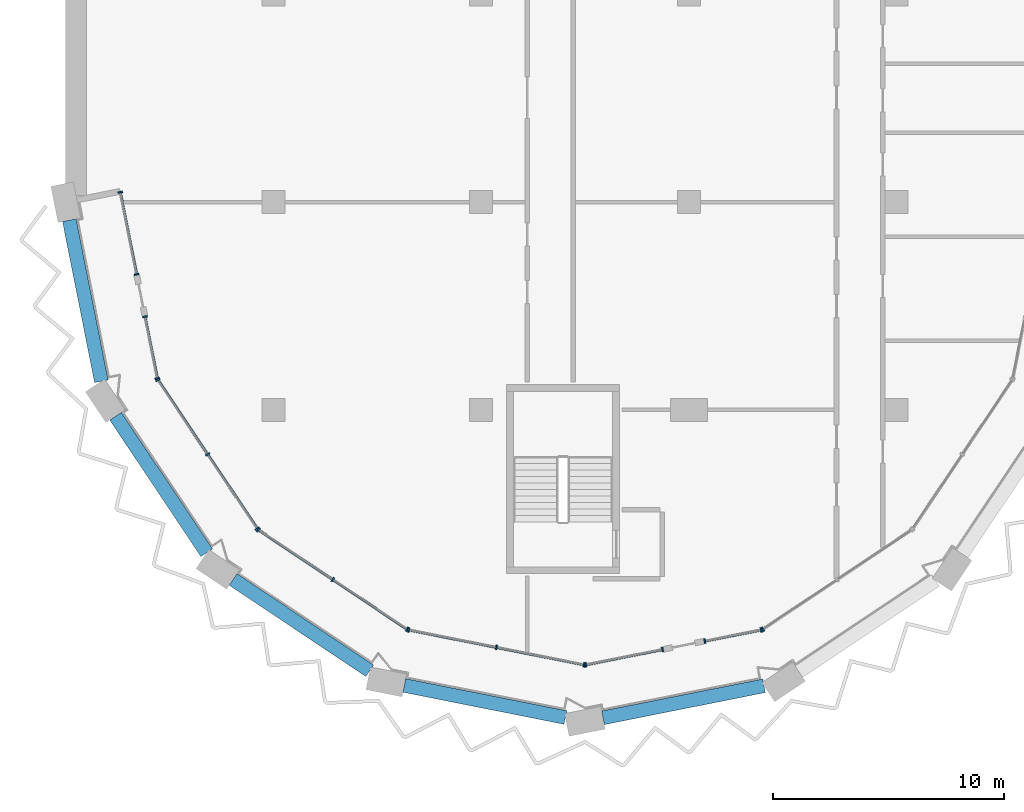
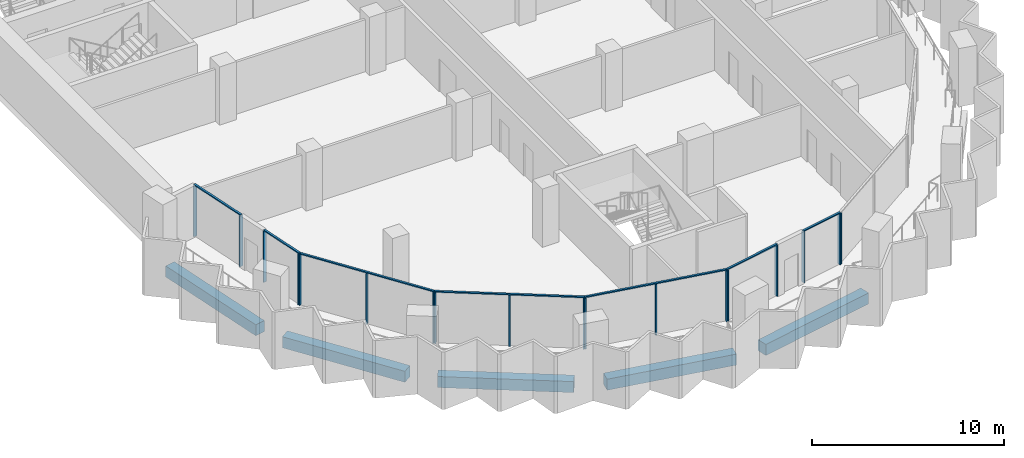
# One storey, part 2 of 16: 25 members, 5 beams, 8 elements without a shape of their own.
"""IFC4 building model written with IfcOpenShell, lengths in metres."""

from ifc_helpers import new_model, si_unit, direction, frame, origin, origin_2d, place, context, subcontext, project, spatial, rectangle, extrude, material, material_profile, profile_set, type_object, element, aggregate, save


model = new_model("IFC4")

# Units and contexts
model_context = context("Model", 3, precision=1e-05, world=origin(), true_north=direction((0.0, 1.0)))
body_context = subcontext(model_context, "Body", "Model", "MODEL_VIEW")
ifc_project = project(units=[si_unit("LENGTHUNIT", "METRE"), si_unit("AREAUNIT", "SQUARE_METRE"), si_unit("VOLUMEUNIT", "CUBIC_METRE"), si_unit("PLANEANGLEUNIT", "RADIAN"), si_unit("MASSUNIT", "GRAM", prefix="KILO")], contexts=[model_context])

# Site, building, storey
site_placement = place(None, origin())
site = spatial("IfcSite", under=ifc_project, at=site_placement, CompositionType="ELEMENT")
building_placement = place(site_placement, origin())
building = spatial("IfcBuilding", under=site, at=building_placement, Name="Hunhe Ridgeline Campus", CompositionType="ELEMENT")
storey_placement = place(building_placement, frame((0.0, 0.0, 261.39990234375)))
storey = spatial("IfcBuildingStorey", under=building, at=storey_placement, Name="L67", CompositionType="ELEMENT", Elevation=261.39990234375)

# Curtain wall, members
ifc_material_1 = material(Name="Aluminium 6063", Category="aluminium")
curtain_wall_type = type_object("IfcCurtainWallType", Name="Curtain wall CW-5", PredefinedType="NOTDEFINED", material=ifc_material_1)
curtain_wall_1_placement = place(storey_placement, origin())
curtain_wall_1 = element("IfcCurtainWall", 1, at=curtain_wall_1_placement, inside=storey, type_object=curtain_wall_type, Name="Curtain wall 01", PredefinedType="NOTDEFINED")
ifc_material_profile_1 = material_profile(ifc_material_1, rectangle(XDim=0.199951171875, YDim=0.070068359375, at=origin_2d()))
ifc_profile_set_1 = profile_set([ifc_material_profile_1], Name="Aluminium 6063")
member_type_1 = type_object("IfcMemberType", Name="CW-5 aluminium mullion", PredefinedType="MULLION", material=ifc_profile_set_1)
member_1_placement = place(storey_placement, frame((2.361572265625, 45.434326171875, 0.0), z_axis=(0.0, 0.0, 1.0), x_axis=(0.980784284924, 0.195095326561, 0.0)))
member_1 = element("IfcMember", 2, at=member_1_placement, type_object=member_type_1, Name="CW-5 mullion 1", PredefinedType="MULLION", context=body_context, shape_type="SweptSolid", body=[
    extrude(rectangle(XDim=0.199951171875, YDim=0.070068359375, at=origin_2d()), origin(), (0.0, 0.0, 1.0), 3.22998046875),
])
member_2_placement = place(storey_placement, frame((3.070068359375, 41.873291015625, 0.0), z_axis=(0.0, 0.0, 1.0), x_axis=(0.980784284924, 0.195095326561, 0.0)))
member_2 = element("IfcMember", 3, at=member_2_placement, type_object=member_type_1, Name="CW-5 mullion 2", PredefinedType="MULLION", context=body_context, shape_type="SweptSolid", body=[
    extrude(rectangle(XDim=0.199951171875, YDim=0.070068359375, at=origin_2d()), origin(), (0.0, 0.0, 1.0), 3.22998046875),
])

curtain_wall_2_placement = place(storey_placement, origin())
curtain_wall_2 = element("IfcCurtainWall", 4, at=curtain_wall_2_placement, inside=storey, type_object=curtain_wall_type, Name="Curtain wall 02", PredefinedType="NOTDEFINED")
member_3_placement = place(storey_placement, frame((3.434814453125, 40.0390625, 0.0), z_axis=(0.0, 0.0, 1.0), x_axis=(0.980784297053, 0.195095265587, 0.0)))
member_3 = element("IfcMember", 5, at=member_3_placement, type_object=member_type_1, Name="CW-5 mullion 1", PredefinedType="MULLION", context=body_context, shape_type="SweptSolid", body=[
    extrude(rectangle(XDim=0.199951171875, YDim=0.070068359375, at=origin_2d()), origin(), (0.0, 0.0, 1.0), 3.22998046875),
])
member_4_placement = place(storey_placement, frame((3.967529296875, 37.36083984375, 0.0), z_axis=(0.0, 0.0, 1.0), x_axis=(0.980784297053, 0.195095265587, 0.0)))
member_4 = element("IfcMember", 6, at=member_4_placement, type_object=member_type_1, Name="CW-5 mullion 2", PredefinedType="MULLION", context=body_context, shape_type="SweptSolid", body=[
    extrude(rectangle(XDim=0.199951171875, YDim=0.070068359375, at=origin_2d()), origin(), (0.0, 0.0, 1.0), 3.22998046875),
])

curtain_wall_3_placement = place(storey_placement, origin())
curtain_wall_3 = element("IfcCurtainWall", 7, at=curtain_wall_3_placement, inside=storey, type_object=curtain_wall_type, Name="Curtain wall 03", PredefinedType="NOTDEFINED")
member_5_placement = place(storey_placement, frame((3.993896484375, 37.29736328125, 0.0), z_axis=(0.0, 0.0, 1.0), x_axis=(0.831469584522, 0.555570274596, 0.0)))
member_5 = element("IfcMember", 8, at=member_5_placement, type_object=member_type_1, Name="CW-5 mullion 1", PredefinedType="MULLION", context=body_context, shape_type="SweptSolid", body=[
    extrude(rectangle(XDim=0.199951171875, YDim=0.070068359375, at=origin_2d()), origin(), (0.0, 0.0, 1.0), 3.22998046875),
])
member_6_placement = place(storey_placement, frame((6.147705078125, 34.07373046875, 0.0), z_axis=(0.0, 0.0, 1.0), x_axis=(0.831469584522, 0.555570274596, 0.0)))
member_6 = element("IfcMember", 9, at=member_6_placement, type_object=member_type_1, Name="CW-5 mullion 2", PredefinedType="MULLION", context=body_context, shape_type="SweptSolid", body=[
    extrude(rectangle(XDim=0.199951171875, YDim=0.070068359375, at=origin_2d()), origin(), (0.0, 0.0, 1.0), 3.22998046875),
])
member_7_placement = place(storey_placement, frame((8.3017578125, 30.850341796875, 0.0), z_axis=(0.0, 0.0, 1.0), x_axis=(0.831469584522, 0.555570274596, 0.0)))
member_7 = element("IfcMember", 10, at=member_7_placement, type_object=member_type_1, Name="CW-5 mullion 3", PredefinedType="MULLION", context=body_context, shape_type="SweptSolid", body=[
    extrude(rectangle(XDim=0.199951171875, YDim=0.070068359375, at=origin_2d()), origin(), (0.0, 0.0, 1.0), 3.22998046875),
])

curtain_wall_4_placement = place(storey_placement, origin())
curtain_wall_4 = element("IfcCurtainWall", 11, at=curtain_wall_4_placement, inside=storey, type_object=curtain_wall_type, Name="Curtain wall 04", PredefinedType="NOTDEFINED")
member_8_placement = place(storey_placement, frame((8.350341796875, 30.8017578125, 0.0), z_axis=(0.0, 0.0, 1.0), x_axis=(0.555570274596, 0.831469584522, 0.0)))
member_8 = element("IfcMember", 12, at=member_8_placement, type_object=member_type_1, Name="CW-5 mullion 1", PredefinedType="MULLION", context=body_context, shape_type="SweptSolid", body=[
    extrude(rectangle(XDim=0.199951171875, YDim=0.070068359375, at=origin_2d()), origin(), (0.0, 0.0, 1.0), 3.22998046875),
])
member_9_placement = place(storey_placement, frame((11.57373046875, 28.647705078125, 0.0), z_axis=(0.0, 0.0, 1.0), x_axis=(0.555570274596, 0.831469584522, 0.0)))
member_9 = element("IfcMember", 13, at=member_9_placement, type_object=member_type_1, Name="CW-5 mullion 2", PredefinedType="MULLION", context=body_context, shape_type="SweptSolid", body=[
    extrude(rectangle(XDim=0.199951171875, YDim=0.070068359375, at=origin_2d()), origin(), (0.0, 0.0, 1.0), 3.22998046875),
])
member_10_placement = place(storey_placement, frame((14.79736328125, 26.493896484375, 0.0), z_axis=(0.0, 0.0, 1.0), x_axis=(0.555570274596, 0.831469584522, 0.0)))
member_10 = element("IfcMember", 14, at=member_10_placement, type_object=member_type_1, Name="CW-5 mullion 3", PredefinedType="MULLION", context=body_context, shape_type="SweptSolid", body=[
    extrude(rectangle(XDim=0.199951171875, YDim=0.070068359375, at=origin_2d()), origin(), (0.0, 0.0, 1.0), 3.22998046875),
])

curtain_wall_5_placement = place(storey_placement, origin())
curtain_wall_5 = element("IfcCurtainWall", 15, at=curtain_wall_5_placement, inside=storey, type_object=curtain_wall_type, Name="Curtain wall 05", PredefinedType="NOTDEFINED")
member_11_placement = place(storey_placement, frame((14.86083984375, 26.467529296875, 0.0), z_axis=(0.0, 0.0, 1.0), x_axis=(0.195090347539, 0.980785275326, 0.0)))
member_11 = element("IfcMember", 16, at=member_11_placement, type_object=member_type_1, Name="CW-5 mullion 1", PredefinedType="MULLION", context=body_context, shape_type="SweptSolid", body=[
    extrude(rectangle(XDim=0.199951171875, YDim=0.070068359375, at=origin_2d()), origin(), (0.0, 0.0, 1.0), 3.22998046875),
])
member_12_placement = place(storey_placement, frame((18.663330078125, 25.711181640625, 0.0), z_axis=(0.0, 0.0, 1.0), x_axis=(0.195090347539, 0.980785275326, 0.0)))
member_12 = element("IfcMember", 17, at=member_12_placement, type_object=member_type_1, Name="CW-5 mullion 2", PredefinedType="MULLION", context=body_context, shape_type="SweptSolid", body=[
    extrude(rectangle(XDim=0.199951171875, YDim=0.070068359375, at=origin_2d()), origin(), (0.0, 0.0, 1.0), 3.22998046875),
])
member_13_placement = place(storey_placement, frame((22.465576171875, 24.954833984375, 0.0), z_axis=(0.0, 0.0, 1.0), x_axis=(0.195090347539, 0.980785275326, 0.0)))
member_13 = element("IfcMember", 18, at=member_13_placement, type_object=member_type_1, Name="CW-5 mullion 3", PredefinedType="MULLION", context=body_context, shape_type="SweptSolid", body=[
    extrude(rectangle(XDim=0.199951171875, YDim=0.070068359375, at=origin_2d()), origin(), (0.0, 0.0, 1.0), 3.22998046875),
])

curtain_wall_6_placement = place(storey_placement, origin())
curtain_wall_6 = element("IfcCurtainWall", 19, at=curtain_wall_6_placement, inside=storey, type_object=curtain_wall_type, Name="Curtain wall 06", PredefinedType="NOTDEFINED")
member_14_placement = place(storey_placement, frame((22.534423828125, 24.954833984375, 0.0), z_axis=(0.0, 0.0, 1.0), x_axis=(-0.19509037034, 0.980785270791, 0.0)))
member_14 = element("IfcMember", 20, at=member_14_placement, type_object=member_type_1, Name="CW-5 mullion 1", PredefinedType="MULLION", context=body_context, shape_type="SweptSolid", body=[
    extrude(rectangle(XDim=0.199951171875, YDim=0.070068359375, at=origin_2d()), origin(), (0.0, 0.0, 1.0), 3.22998046875),
])
member_15_placement = place(storey_placement, frame((25.861083984375, 25.61669921875, 0.0), z_axis=(0.0, 0.0, 1.0), x_axis=(-0.19509037034, 0.980785270791, 0.0)))
member_15 = element("IfcMember", 21, at=member_15_placement, type_object=member_type_1, Name="CW-5 mullion 2", PredefinedType="MULLION", context=body_context, shape_type="SweptSolid", body=[
    extrude(rectangle(XDim=0.199951171875, YDim=0.070068359375, at=origin_2d()), origin(), (0.0, 0.0, 1.0), 3.22998046875),
])

curtain_wall_7_placement = place(storey_placement, origin())
curtain_wall_7 = element("IfcCurtainWall", 22, at=curtain_wall_7_placement, inside=storey, type_object=curtain_wall_type, Name="Curtain wall 07", PredefinedType="NOTDEFINED")
member_16_placement = place(storey_placement, frame((27.695068359375, 25.9814453125, 0.0), z_axis=(0.0, 0.0, 1.0), x_axis=(-0.195090514627, 0.980785242091, 0.0)))
member_16 = element("IfcMember", 23, at=member_16_placement, type_object=member_type_1, Name="CW-5 mullion 1", PredefinedType="MULLION", context=body_context, shape_type="SweptSolid", body=[
    extrude(rectangle(XDim=0.199951171875, YDim=0.070068359375, at=origin_2d()), origin(), (0.0, 0.0, 1.0), 3.22998046875),
])
member_17_placement = place(storey_placement, frame((30.13916015625, 26.467529296875, 0.0), z_axis=(0.0, 0.0, 1.0), x_axis=(-0.195090514627, 0.980785242091, 0.0)))
member_17 = element("IfcMember", 24, at=member_17_placement, type_object=member_type_1, Name="CW-5 mullion 2", PredefinedType="MULLION", context=body_context, shape_type="SweptSolid", body=[
    extrude(rectangle(XDim=0.199951171875, YDim=0.070068359375, at=origin_2d()), origin(), (0.0, 0.0, 1.0), 3.22998046875),
])

# Curtain wall, member
curtain_wall_8_placement = place(storey_placement, origin())
curtain_wall_8 = element("IfcCurtainWall", 25, at=curtain_wall_8_placement, inside=storey, type_object=curtain_wall_type, Name="Curtain wall 08", PredefinedType="NOTDEFINED")
member_18_placement = place(storey_placement, frame((30.20263671875, 26.493896484375, 0.0), z_axis=(0.0, 0.0, 1.0), x_axis=(-0.555570274596, 0.831469584522, 0.0)))
member_18 = element("IfcMember", 26, at=member_18_placement, type_object=member_type_1, Name="CW-5 mullion 1", PredefinedType="MULLION", context=body_context, shape_type="SweptSolid", body=[
    extrude(rectangle(XDim=0.199951171875, YDim=0.070068359375, at=origin_2d()), origin(), (0.0, 0.0, 1.0), 3.22998046875),
])
aggregate(curtain_wall_8, [member_18])

# Member
ifc_material_profile_2 = material_profile(ifc_material_1, rectangle(XDim=0.1201171875, YDim=0.070068359375, at=origin_2d()))
ifc_profile_set_2 = profile_set([ifc_material_profile_2], Name="Aluminium 6063")
member_type_2 = type_object("IfcMemberType", Name="CW-5 aluminium transom", PredefinedType="USERDEFINED", material=ifc_profile_set_2)
member_19_placement = place(storey_placement, frame((2.354736328125, 45.46875, 3.26513671875), z_axis=(0.195126549745, -0.980778073564, 0.0), x_axis=(0.980778073564, 0.195126549745, 0.0)))
member_19 = element("IfcMember", 27, at=member_19_placement, type_object=member_type_2, Name="CW-5 transom 1", ObjectType="TRANSOM", PredefinedType="USERDEFINED", context=body_context, shape_type="SweptSolid", body=[
    extrude(rectangle(XDim=0.1201171875, YDim=0.070068359375, at=origin_2d()), origin(), (0.0, 0.0, 1.0), 3.700927734375),
])

aggregate(curtain_wall_1, [member_19, member_1, member_2])

member_20_placement = place(storey_placement, frame((3.427978515625, 40.073486328125, 3.26513671875), z_axis=(0.195076742145, -0.98078798151, 0.0), x_axis=(0.98078798151, 0.195076742145, 0.0)))
member_20 = element("IfcMember", 28, at=member_20_placement, type_object=member_type_2, Name="CW-5 transom 1", ObjectType="TRANSOM", PredefinedType="USERDEFINED", context=body_context, shape_type="SweptSolid", body=[
    extrude(rectangle(XDim=0.1201171875, YDim=0.070068359375, at=origin_2d()), origin(), (0.0, 0.0, 1.0), 2.80078125),
])

aggregate(curtain_wall_2, [member_20, member_3, member_4])

member_21_placement = place(storey_placement, frame((3.974365234375, 37.326416015625, 3.26513671875), z_axis=(0.5555640203, -0.831473763475, 0.0), x_axis=(0.831473763475, 0.5555640203, 0.0)))
member_21 = element("IfcMember", 29, at=member_21_placement, type_object=member_type_2, Name="CW-5 transom 1", ObjectType="TRANSOM", PredefinedType="USERDEFINED", context=body_context, shape_type="SweptSolid", body=[
    extrude(rectangle(XDim=0.1201171875, YDim=0.070068359375, at=origin_2d()), origin(), (0.0, 0.0, 1.0), 7.823974609375),
])

aggregate(curtain_wall_3, [member_21, member_5, member_6, member_7])

member_22_placement = place(storey_placement, frame((8.321044921875, 30.821044921875, 3.26513671875), z_axis=(0.831473763475, -0.5555640203, 0.0), x_axis=(0.5555640203, 0.831473763475, 0.0)))
member_22 = element("IfcMember", 30, at=member_22_placement, type_object=member_type_2, Name="CW-5 transom 1", ObjectType="TRANSOM", PredefinedType="USERDEFINED", context=body_context, shape_type="SweptSolid", body=[
    extrude(rectangle(XDim=0.1201171875, YDim=0.070068359375, at=origin_2d()), origin(), (0.0, 0.0, 1.0), 7.823974609375),
])

aggregate(curtain_wall_4, [member_22, member_8, member_9, member_10])

member_23_placement = place(storey_placement, frame((14.826416015625, 26.474365234375, 3.26513671875), z_axis=(0.980785367689, -0.195089883198, 0.0), x_axis=(0.195089883198, 0.980785367689, 0.0)))
member_23 = element("IfcMember", 31, at=member_23_placement, type_object=member_type_2, Name="CW-5 transom 1", ObjectType="TRANSOM", PredefinedType="USERDEFINED", context=body_context, shape_type="SweptSolid", body=[
    extrude(rectangle(XDim=0.1201171875, YDim=0.070068359375, at=origin_2d()), origin(), (0.0, 0.0, 1.0), 7.823974609375),
])

aggregate(curtain_wall_5, [member_23, member_11, member_12, member_13])

member_24_placement = place(storey_placement, frame((22.5, 24.947998046875, 3.26513671875), z_axis=(0.980778171596, 0.195126057004, 0.0), x_axis=(-0.195126057004, 0.980778171596, 0.0)))
member_24 = element("IfcMember", 32, at=member_24_placement, type_object=member_type_2, Name="CW-5 transom 1", ObjectType="TRANSOM", PredefinedType="USERDEFINED", context=body_context, shape_type="SweptSolid", body=[
    extrude(rectangle(XDim=0.1201171875, YDim=0.070068359375, at=origin_2d()), origin(), (0.0, 0.0, 1.0), 3.462158203125),
])

aggregate(curtain_wall_6, [member_24, member_14, member_15])

member_25_placement = place(storey_placement, frame((27.660888671875, 25.974609375, 3.26513671875), z_axis=(0.980789038007, 0.195071430315, 0.0), x_axis=(-0.195071430315, 0.980789038007, 0.0)))
member_25 = element("IfcMember", 33, at=member_25_placement, type_object=member_type_2, Name="CW-5 transom 1", ObjectType="TRANSOM", PredefinedType="USERDEFINED", context=body_context, shape_type="SweptSolid", body=[
    extrude(rectangle(XDim=0.1201171875, YDim=0.070068359375, at=origin_2d()), origin(), (0.0, 0.0, 1.0), 2.56201171875),
])

aggregate(curtain_wall_7, [member_25, member_16, member_17])

# Beams
ifc_material_2 = material(Name="Concrete C50", Category="concrete")
ifc_material_profile_3 = material_profile(ifc_material_2, rectangle(XDim=0.60009765625, YDim=0.699951171875, at=origin_2d()))
ifc_profile_set_3 = profile_set([ifc_material_profile_3], Name="Concrete C50")
beam_type = type_object("IfcBeamType", Name="RC spandrel beam 600x700 Concrete C50", PredefinedType="SPANDREL", material=ifc_profile_set_3)
for number, where, z_axis, x_axis, name in (
    (34, (0.156005859375, 44.21533203125, -0.599853515625), (0.195092933717, -0.9807847609, 0.0), (0.9807847609, 0.195092933717, 0.0), "Spandrel beam B4-1 L67"),
    (35, (2.1572265625, 35.724365234375, -0.599853515625), (0.55557907181, -0.831463706344, 0.0), (0.831463706344, 0.55557907181, 0.0), "Spandrel beam B4-2 L67"),
    (36, (7.25537109375, 28.645751953125, -0.599853515625), (0.831463706344, -0.55557907181, 0.0), (0.55557907181, 0.831463706344, 0.0), "Spandrel beam B4-3 L67"),
    (37, (14.67431640625, 24.056640625, -0.599853515625), (0.9807847609, -0.195092933717, 0.0), (0.195092933717, 0.9807847609, 0.0), "Spandrel beam B4-4 L67"),
    (38, (23.28466796875, 22.656005859375, -0.599853515625), (0.9807847609, 0.195092933717, 0.0), (-0.195092933717, 0.9807847609, 0.0), "Spandrel beam B4-5 L67"),
):
    element("IfcBeam", number, at=place(storey_placement, frame(where, z_axis=z_axis, x_axis=x_axis)), inside=storey, type_object=beam_type, Name=name, PredefinedType="SPANDREL", context=body_context, shape_type="SweptSolid", body=[
        extrude(rectangle(XDim=0.60009765625, YDim=0.699951171875, at=origin_2d()), origin(), (0.0, 0.0, 1.0), 7.113037109375),
    ])

save(model, "model.ifc")
